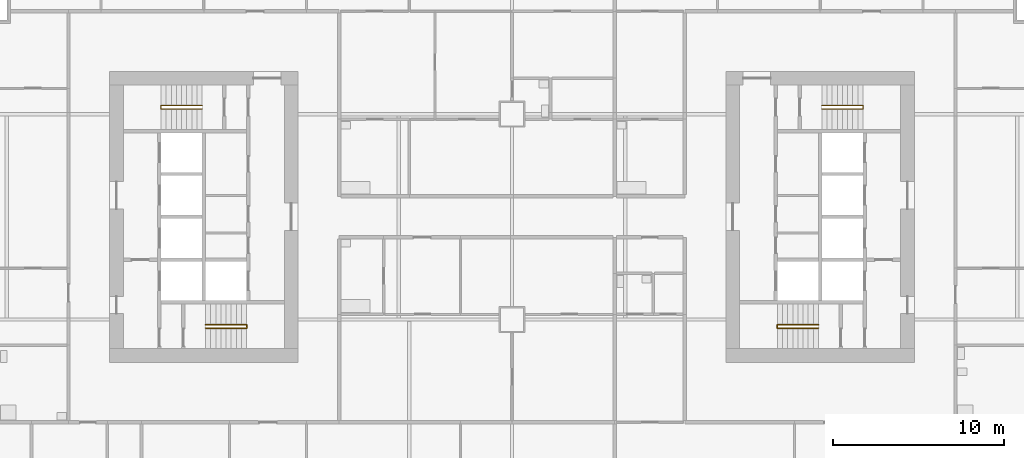
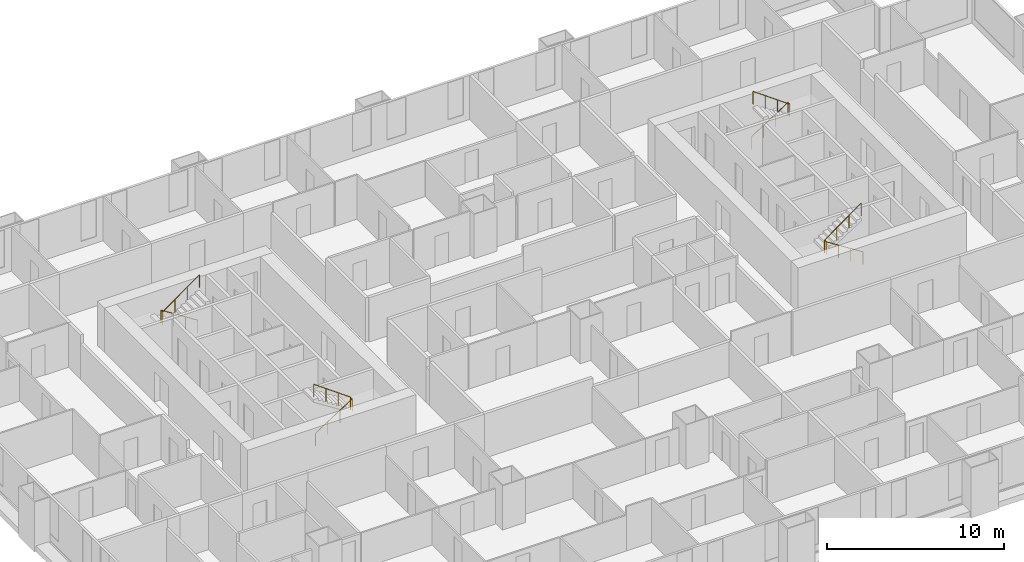
# One storey, part 13 of 14: 4 railings.
"""IFC4 building model written with IfcOpenShell, lengths in metres."""

from ifc_helpers import new_model, si_unit, direction, frame, origin, origin_2d, place, context, subcontext, project, spatial, circle, extrude, material, type_object, element, save


model = new_model("IFC4")

# Units and contexts
model_context = context("Model", 3, precision=1e-05, world=origin(), true_north=direction((0.0, 1.0)))
body_context = subcontext(model_context, "Body", "Model", "MODEL_VIEW")
ifc_project = project(units=[si_unit("LENGTHUNIT", "METRE"), si_unit("AREAUNIT", "SQUARE_METRE"), si_unit("VOLUMEUNIT", "CUBIC_METRE"), si_unit("PLANEANGLEUNIT", "RADIAN"), si_unit("MASSUNIT", "GRAM", prefix="KILO")], contexts=[model_context])

# Site, building, storey
site_placement = place(None, origin())
site = spatial("IfcSite", under=ifc_project, at=site_placement, CompositionType="ELEMENT")
building_placement = place(site_placement, origin())
building = spatial("IfcBuilding", under=site, at=building_placement, Name="Kitamizu Gate Tower and Museum", CompositionType="ELEMENT")
storey_placement = place(building_placement, frame((0.0, 0.0, 54.14990234375)))
storey = spatial("IfcBuildingStorey", under=building, at=storey_placement, Name="L12", CompositionType="ELEMENT", Elevation=54.14990234375)

# Railings
ifc_material = material(Name="Stainless steel SUS304", Category="steel")
railing_type = type_object("IfcRailingType", Name="Stair handrail 900", PredefinedType="HANDRAIL", material=ifc_material)
railing_1_placement = place(storey_placement, frame((18.10009765625, 23.5, 0.191650390625)))
element("IfcRailing", 1, at=railing_1_placement, inside=storey, type_object=railing_type, Name="Stair handrail ST1", PredefinedType="HANDRAIL", context=body_context, shape_type="SweptSolid", body=[
    extrude(circle(Radius=0.02392578125, at=origin_2d()), frame((0.0, 0.0, 0.8759765625), z_axis=(0.842668169335, 0.0, 0.538433242278), x_axis=(0.0, 1.0, 0.0)), (0.0, 0.0, 1.0), 2.847900390625),
    extrude(circle(Radius=0.02392578125, at=origin_2d()), frame((2.39990234375, 0.0, 2.4091796875), z_axis=(0.0, 1.0, 0.0), x_axis=(-1.0, 0.0, 0.0)), (0.0, 0.0, 1.0), 0.199951171875),
    extrude(circle(Radius=0.02392578125, at=origin_2d()), frame((2.39990234375, 0.199951171875, 2.4091796875), z_axis=(-0.811988456656, 0.0, 0.583673492852), x_axis=(0.0, -1.0, 0.0)), (0.0, 0.0, 1.0), 2.95556640625),
    extrude(circle(Radius=0.02099609375, at=origin_2d()), origin(), (0.0, 0.0, 1.0), 0.851806640625),
    extrude(circle(Radius=0.02099609375, at=origin_2d()), frame((0.800048828125, 0.0, 0.51123046875)), (0.0, 0.0, 1.0), 0.851806640625),
    extrude(circle(Radius=0.02099609375, at=origin_2d()), frame((1.599853515625, 0.0, 1.022216796875)), (0.0, 0.0, 1.0), 0.851806640625),
    extrude(circle(Radius=0.02099609375, at=origin_2d()), frame((2.39990234375, 0.0, 1.533447265625)), (0.0, 0.0, 1.0), 0.851806640625),
    extrude(circle(Radius=0.02099609375, at=origin_2d()), frame((2.39990234375, 0.199951171875, 1.533447265625)), (0.0, 0.0, 1.0), 0.851806640625),
    extrude(circle(Radius=0.02099609375, at=origin_2d()), frame((1.599853515625, 0.199951171875, 2.1083984375)), (0.0, 0.0, 1.0), 0.851806640625),
    extrude(circle(Radius=0.02099609375, at=origin_2d()), frame((0.800048828125, 0.199951171875, 2.68359375)), (0.0, 0.0, 1.0), 0.851806640625),
    extrude(circle(Radius=0.02099609375, at=origin_2d()), frame((0.0, 0.199951171875, 3.258544921875)), (0.0, 0.0, 1.0), 0.851806640625),
])
railing_2_placement = place(storey_placement, frame((17.89990234375, 36.5, 0.191650390625)))
element("IfcRailing", 2, at=railing_2_placement, inside=storey, type_object=railing_type, Name="Stair handrail ST2", PredefinedType="HANDRAIL", context=body_context, shape_type="SweptSolid", body=[
    extrude(circle(Radius=0.02392578125, at=origin_2d()), frame((0.0, 0.0, 0.8759765625), z_axis=(-0.842668169335, 0.0, 0.538433242278), x_axis=(0.0, -1.0, 0.0)), (0.0, 0.0, 1.0), 2.847900390625),
    extrude(circle(Radius=0.02392578125, at=origin_2d()), frame((-2.39990234375, 0.0, 2.4091796875), z_axis=(0.0, -1.0, 0.0), x_axis=(1.0, 0.0, 0.0)), (0.0, 0.0, 1.0), 0.199951171875),
    extrude(circle(Radius=0.02392578125, at=origin_2d()), frame((-2.39990234375, -0.199951171875, 2.4091796875), z_axis=(0.811988456656, 0.0, 0.583673492852), x_axis=(0.0, 1.0, 0.0)), (0.0, 0.0, 1.0), 2.95556640625),
    extrude(circle(Radius=0.02099609375, at=origin_2d()), origin(), (0.0, 0.0, 1.0), 0.851806640625),
    extrude(circle(Radius=0.02099609375, at=origin_2d()), frame((-0.800048828125, 0.0, 0.51123046875)), (0.0, 0.0, 1.0), 0.851806640625),
    extrude(circle(Radius=0.02099609375, at=origin_2d()), frame((-1.599853515625, 0.0, 1.022216796875)), (0.0, 0.0, 1.0), 0.851806640625),
    extrude(circle(Radius=0.02099609375, at=origin_2d()), frame((-2.39990234375, 0.0, 1.533447265625)), (0.0, 0.0, 1.0), 0.851806640625),
    extrude(circle(Radius=0.02099609375, at=origin_2d()), frame((-2.39990234375, -0.199951171875, 1.533447265625)), (0.0, 0.0, 1.0), 0.851806640625),
    extrude(circle(Radius=0.02099609375, at=origin_2d()), frame((-1.599853515625, -0.199951171875, 2.1083984375)), (0.0, 0.0, 1.0), 0.851806640625),
    extrude(circle(Radius=0.02099609375, at=origin_2d()), frame((-0.800048828125, -0.199951171875, 2.68359375)), (0.0, 0.0, 1.0), 0.851806640625),
    extrude(circle(Radius=0.02099609375, at=origin_2d()), frame((0.0, -0.199951171875, 3.258544921875)), (0.0, 0.0, 1.0), 0.851806640625),
])
railing_3_placement = place(storey_placement, frame((53.89990234375, 23.5, 0.191650390625)))
element("IfcRailing", 3, at=railing_3_placement, inside=storey, type_object=railing_type, Name="Stair handrail ST3", PredefinedType="HANDRAIL", context=body_context, shape_type="SweptSolid", body=[
    extrude(circle(Radius=0.02392578125, at=origin_2d()), frame((0.0, 0.0, 0.8759765625), z_axis=(-0.842668169335, 0.0, 0.538433242278), x_axis=(0.0, -1.0, 0.0)), (0.0, 0.0, 1.0), 2.847900390625),
    extrude(circle(Radius=0.02392578125, at=origin_2d()), frame((-2.39990234375, 0.0, 2.4091796875), z_axis=(0.0, 1.0, 0.0), x_axis=(-1.0, 0.0, 0.0)), (0.0, 0.0, 1.0), 0.199951171875),
    extrude(circle(Radius=0.02392578125, at=origin_2d()), frame((-2.39990234375, 0.199951171875, 2.4091796875), z_axis=(0.811988456656, 0.0, 0.583673492852), x_axis=(0.0, 1.0, 0.0)), (0.0, 0.0, 1.0), 2.95556640625),
    extrude(circle(Radius=0.02099609375, at=origin_2d()), origin(), (0.0, 0.0, 1.0), 0.851806640625),
    extrude(circle(Radius=0.02099609375, at=origin_2d()), frame((-0.800048828125, 0.0, 0.51123046875)), (0.0, 0.0, 1.0), 0.851806640625),
    extrude(circle(Radius=0.02099609375, at=origin_2d()), frame((-1.599853515625, 0.0, 1.022216796875)), (0.0, 0.0, 1.0), 0.851806640625),
    extrude(circle(Radius=0.02099609375, at=origin_2d()), frame((-2.39990234375, 0.0, 1.533447265625)), (0.0, 0.0, 1.0), 0.851806640625),
    extrude(circle(Radius=0.02099609375, at=origin_2d()), frame((-2.39990234375, 0.199951171875, 1.533447265625)), (0.0, 0.0, 1.0), 0.851806640625),
    extrude(circle(Radius=0.02099609375, at=origin_2d()), frame((-1.599853515625, 0.199951171875, 2.1083984375)), (0.0, 0.0, 1.0), 0.851806640625),
    extrude(circle(Radius=0.02099609375, at=origin_2d()), frame((-0.800048828125, 0.199951171875, 2.68359375)), (0.0, 0.0, 1.0), 0.851806640625),
    extrude(circle(Radius=0.02099609375, at=origin_2d()), frame((0.0, 0.199951171875, 3.258544921875)), (0.0, 0.0, 1.0), 0.851806640625),
])
railing_4_placement = place(storey_placement, frame((54.10009765625, 36.5, 0.191650390625)))
element("IfcRailing", 4, at=railing_4_placement, inside=storey, type_object=railing_type, Name="Stair handrail ST4", PredefinedType="HANDRAIL", context=body_context, shape_type="SweptSolid", body=[
    extrude(circle(Radius=0.02392578125, at=origin_2d()), frame((0.0, 0.0, 0.8759765625), z_axis=(0.842668169335, 0.0, 0.538433242278), x_axis=(0.0, 1.0, 0.0)), (0.0, 0.0, 1.0), 2.847900390625),
    extrude(circle(Radius=0.02392578125, at=origin_2d()), frame((2.39990234375, 0.0, 2.4091796875), z_axis=(0.0, -1.0, 0.0), x_axis=(1.0, 0.0, 0.0)), (0.0, 0.0, 1.0), 0.199951171875),
    extrude(circle(Radius=0.02392578125, at=origin_2d()), frame((2.39990234375, -0.199951171875, 2.4091796875), z_axis=(-0.811988456656, 0.0, 0.583673492852), x_axis=(0.0, -1.0, 0.0)), (0.0, 0.0, 1.0), 2.95556640625),
    extrude(circle(Radius=0.02099609375, at=origin_2d()), origin(), (0.0, 0.0, 1.0), 0.851806640625),
    extrude(circle(Radius=0.02099609375, at=origin_2d()), frame((0.800048828125, 0.0, 0.51123046875)), (0.0, 0.0, 1.0), 0.851806640625),
    extrude(circle(Radius=0.02099609375, at=origin_2d()), frame((1.599853515625, 0.0, 1.022216796875)), (0.0, 0.0, 1.0), 0.851806640625),
    extrude(circle(Radius=0.02099609375, at=origin_2d()), frame((2.39990234375, 0.0, 1.533447265625)), (0.0, 0.0, 1.0), 0.851806640625),
    extrude(circle(Radius=0.02099609375, at=origin_2d()), frame((2.39990234375, -0.199951171875, 1.533447265625)), (0.0, 0.0, 1.0), 0.851806640625),
    extrude(circle(Radius=0.02099609375, at=origin_2d()), frame((1.599853515625, -0.199951171875, 2.1083984375)), (0.0, 0.0, 1.0), 0.851806640625),
    extrude(circle(Radius=0.02099609375, at=origin_2d()), frame((0.800048828125, -0.199951171875, 2.68359375)), (0.0, 0.0, 1.0), 0.851806640625),
    extrude(circle(Radius=0.02099609375, at=origin_2d()), frame((0.0, -0.199951171875, 3.258544921875)), (0.0, 0.0, 1.0), 0.851806640625),
])

save(model, "model.ifc")
